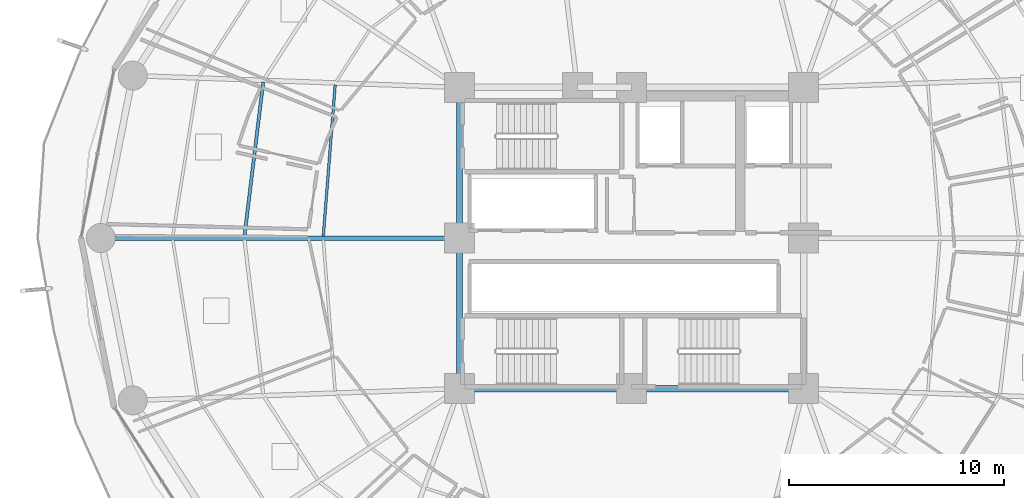
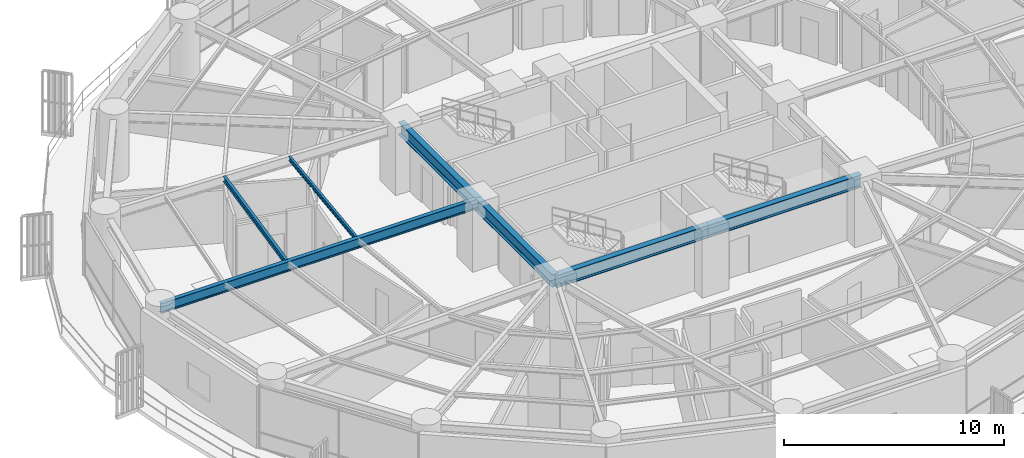
# One storey, part 7 of 33: 7 beams.
"""IFC4 building model written with IfcOpenShell, lengths in metres."""

from ifc_helpers import new_model, si_unit, direction, frame, origin, origin_2d, place, context, subcontext, project, spatial, i_section, extrude, material, material_profile, profile_set, type_object, element, save


model = new_model("IFC4")

# Units and contexts
model_context = context("Model", 3, precision=1e-05, world=origin(), true_north=direction((0.0, 1.0)))
body_context = subcontext(model_context, "Body", "Model", "MODEL_VIEW")
ifc_project = project(units=[si_unit("LENGTHUNIT", "METRE"), si_unit("AREAUNIT", "SQUARE_METRE"), si_unit("VOLUMEUNIT", "CUBIC_METRE"), si_unit("PLANEANGLEUNIT", "RADIAN"), si_unit("MASSUNIT", "GRAM", prefix="KILO")], contexts=[model_context])

# Site, building, storey
site_placement = place(None, origin())
site = spatial("IfcSite", under=ifc_project, at=site_placement, CompositionType="ELEMENT")
building_placement = place(site_placement, origin())
building = spatial("IfcBuilding", under=site, at=building_placement, Name="Kelanora Arch Commons", CompositionType="ELEMENT")
storey_placement = place(building_placement, frame((0.0, 0.0, 80.10009765625)))
storey = spatial("IfcBuildingStorey", under=building, at=storey_placement, Name="L20", CompositionType="ELEMENT", Elevation=80.10009765625)

# Beams
ifc_material = material(Name="Steel S355", Category="steel")
ifc_material_profile_1 = material_profile(ifc_material, i_section(OverallWidth=0.300048828125, OverallDepth=0.699951171875, WebThickness=0.01708984375, FlangeThickness=0.031982421875, FilletRadius=0.027099609375, at=origin_2d()), Name="HEB700")
ifc_profile_set_1 = profile_set([ifc_material_profile_1], Name="Steel S355")
beam_type_1 = type_object("IfcBeamType", Name="BM-CORE-HDR", PredefinedType="BEAM", material=ifc_profile_set_1)
for number, where, z_axis, x_axis, name in (
    (1, (66.0, 51.0, 3.139892578125), (1.0, 0.0, 0.0), (0.0, 1.0, 0.0), "Core Header Beam 01 L20"),
    (2, (74.0, 51.0, 3.139892578125), (1.0, 0.0, 0.0), (0.0, 1.0, 0.0), "Core Header Beam 02 L20"),
):
    element("IfcBeam", number, at=place(storey_placement, frame(where, z_axis=z_axis, x_axis=x_axis)), inside=storey, type_object=beam_type_1, Name=name, PredefinedType="BEAM", context=body_context, shape_type="SweptSolid", body=[
        extrude(i_section(OverallWidth=0.300048828125, OverallDepth=0.699951171875, WebThickness=0.01708984375, FlangeThickness=0.031982421875, FilletRadius=0.027099609375, at=origin_2d()), origin(), (0.0, 0.0, 1.0), 8.0),
    ])
for number, where, z_axis, x_axis, name in (
    (3, (66.0, 65.0, 3.139892578125), (0.0, -1.0, 0.0), (1.0, 0.0, 0.0), "Core Header Beam 08 L20"),
    (4, (66.0, 58.0, 3.139892578125), (0.0, -1.0, 0.0), (1.0, 0.0, 0.0), "Core Header Beam 09 L20"),
):
    element("IfcBeam", number, at=place(storey_placement, frame(where, z_axis=z_axis, x_axis=x_axis)), inside=storey, type_object=beam_type_1, Name=name, PredefinedType="BEAM", context=body_context, shape_type="SweptSolid", body=[
        extrude(i_section(OverallWidth=0.300048828125, OverallDepth=0.699951171875, WebThickness=0.01708984375, FlangeThickness=0.031982421875, FilletRadius=0.027099609375, at=origin_2d()), origin(), (0.0, 0.0, 1.0), 7.0),
    ])
ifc_material_profile_2 = material_profile(ifc_material, i_section(OverallWidth=0.14990234375, OverallDepth=0.300048828125, WebThickness=0.007080078125, FlangeThickness=0.0107421875, FilletRadius=0.014892578125, at=origin_2d()), Name="IPE300")
ifc_profile_set_2 = profile_set([ifc_material_profile_2], Name="Steel S355")
beam_type_2 = type_object("IfcBeamType", Name="BM-JST-01", PredefinedType="JOIST", material=ifc_profile_set_2)
beam_1_placement = place(storey_placement, frame((56.874755859375, 65.24658203125, 3.33984375), z_axis=(-0.120935645266, -0.992660349618, 0.0), x_axis=(0.992660349618, -0.120935645266, 0.0)))
element("IfcBeam", 5, at=beam_1_placement, inside=storey, type_object=beam_type_2, Name="Secondary Chord Joist BJB-16 L20", PredefinedType="JOIST", context=body_context, shape_type="SweptSolid", body=[
    extrude(i_section(OverallWidth=0.14990234375, OverallDepth=0.300048828125, WebThickness=0.007080078125, FlangeThickness=0.0107421875, FilletRadius=0.014892578125, at=origin_2d()), origin(), (0.0, 0.0, 1.0), 7.215087890625),
])
ifc_material_profile_3 = material_profile(ifc_material, i_section(OverallWidth=0.1201171875, OverallDepth=0.239990234375, WebThickness=0.006103515625, FlangeThickness=0.009765625, FilletRadius=0.014892578125, at=origin_2d()), Name="IPE240")
ifc_profile_set_3 = profile_set([ifc_material_profile_3], Name="Steel S355")
beam_type_3 = type_object("IfcBeamType", Name="BM-JST-02", PredefinedType="JOIST", material=ifc_profile_set_3)
beam_2_placement = place(storey_placement, frame((60.220458984375, 65.125, 3.369873046875), z_axis=(-0.078200677502, -0.996937637989, 0.0), x_axis=(0.996937637989, -0.078200677502, 0.0)))
element("IfcBeam", 6, at=beam_2_placement, inside=storey, type_object=beam_type_3, Name="Secondary Chord Joist BJA-16 L20", PredefinedType="JOIST", context=body_context, shape_type="SweptSolid", body=[
    extrude(i_section(OverallWidth=0.1201171875, OverallDepth=0.239990234375, WebThickness=0.006103515625, FlangeThickness=0.009765625, FilletRadius=0.014892578125, at=origin_2d()), origin(), (0.0, 0.0, 1.0), 7.06201171875),
])
ifc_material_profile_4 = material_profile(ifc_material, i_section(OverallWidth=0.2099609375, OverallDepth=0.550048828125, WebThickness=0.010986328125, FlangeThickness=0.01708984375, FilletRadius=0.02392578125, at=origin_2d()), Name="IPE550")
ifc_profile_set_4 = profile_set([ifc_material_profile_4], Name="Steel S355")
beam_type_4 = type_object("IfcBeamType", Name="BM-RAD-Z2", PredefinedType="BEAM", material=ifc_profile_set_4)
beam_3_placement = place(storey_placement, frame((66.0, 58.0, 3.21484375), z_axis=(-1.0, 0.0, 0.0), x_axis=(0.0, -1.0, 0.0)))
element("IfcBeam", 7, at=beam_3_placement, inside=storey, type_object=beam_type_4, Name="Radial Floor Girder BR-18 L20", PredefinedType="BEAM", context=body_context, shape_type="SweptSolid", body=[
    extrude(i_section(OverallWidth=0.2099609375, OverallDepth=0.550048828125, WebThickness=0.010986328125, FlangeThickness=0.01708984375, FilletRadius=0.02392578125, at=origin_2d()), origin(), (0.0, 0.0, 1.0), 16.679931640625),
])

save(model, "model.ifc")
